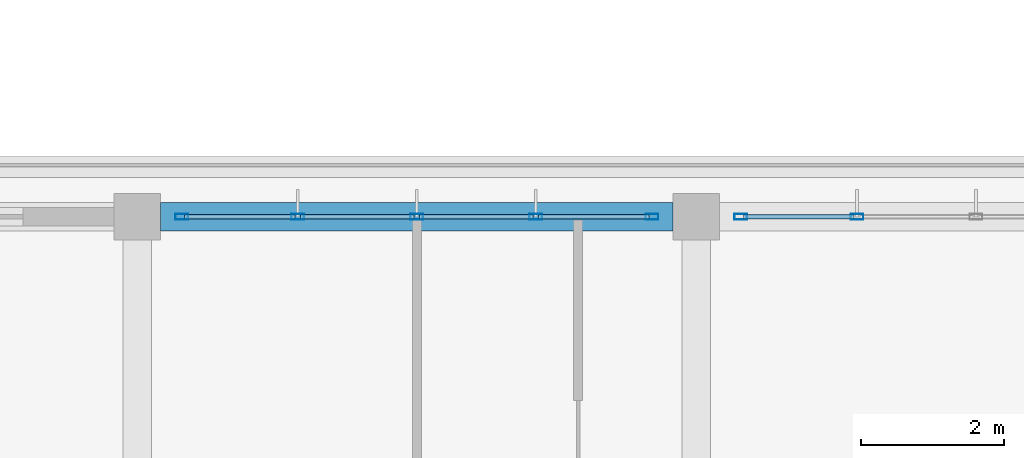
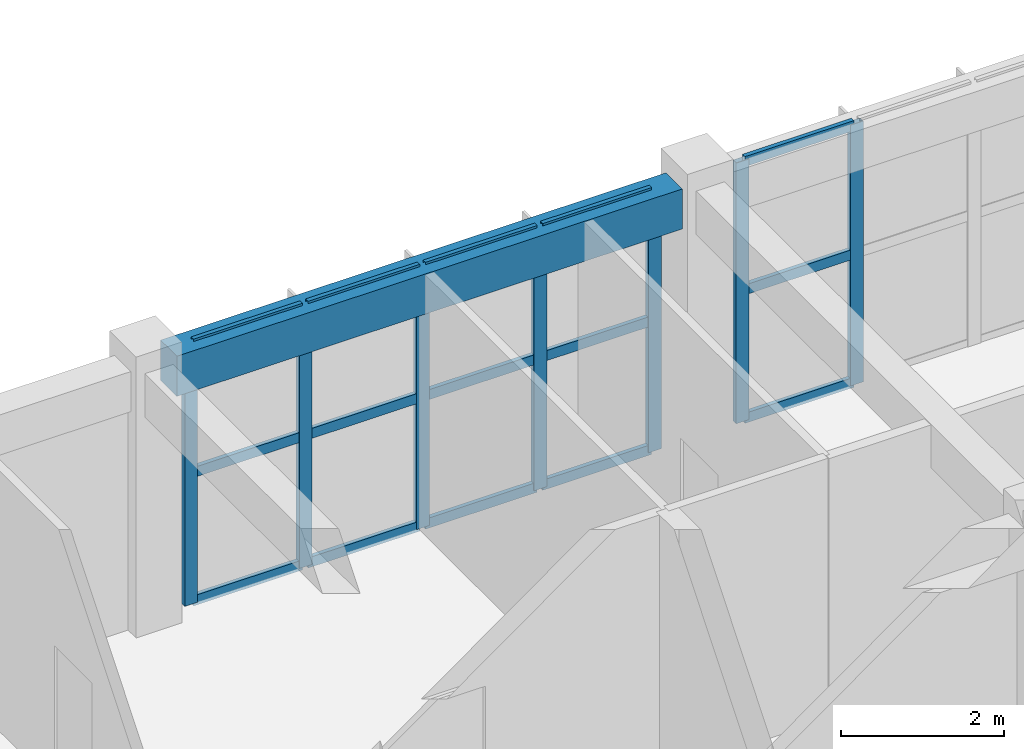
# One storey, part 19 of 57: 22 members, 1 beam, 2 elements without a shape of their own.
"""IFC4 building model written with IfcOpenShell, lengths in metres."""

from ifc_helpers import new_model, si_unit, direction, frame, origin, origin_2d, place, context, subcontext, project, spatial, rectangle, hollow_rectangle, extrude, material, layer, layer_set, material_profile, profile_set, type_object, element, aggregate, save


model = new_model("IFC4")

# Units and contexts
model_context = context("Model", 3, precision=1e-05, world=origin(), true_north=direction((0.0, 1.0)))
body_context = subcontext(model_context, "Body", "Model", "MODEL_VIEW")
ifc_project = project(units=[si_unit("LENGTHUNIT", "METRE"), si_unit("AREAUNIT", "SQUARE_METRE"), si_unit("VOLUMEUNIT", "CUBIC_METRE"), si_unit("PLANEANGLEUNIT", "RADIAN"), si_unit("MASSUNIT", "GRAM", prefix="KILO")], contexts=[model_context])

# Site, building, storey
site_placement = place(None, origin())
site = spatial("IfcSite", under=ifc_project, at=site_placement, CompositionType="ELEMENT")
building_placement = place(site_placement, origin())
building = spatial("IfcBuilding", under=site, at=building_placement, Name="Zizhar Promenade General Hospital", CompositionType="ELEMENT")
storey_placement = place(building_placement, frame((0.0, 0.0, 22.199951171875)))
storey = spatial("IfcBuildingStorey", under=building, at=storey_placement, Name="L05", CompositionType="ELEMENT", Elevation=22.199951171875)

# Beam
ifc_material_1 = material(Name="Concrete C35/45", Category="concrete")
ifc_material_profile_1 = material_profile(ifc_material_1, rectangle(XDim=0.39990234375, YDim=0.60009765625, at=origin_2d()))
ifc_profile_set_1 = profile_set([ifc_material_profile_1], Name="Concrete C35/45")
beam_type = type_object("IfcBeamType", Name="BM-RC-400x600", PredefinedType="JOIST", material=ifc_profile_set_1)
beam_placement = place(storey_placement, frame((70.52490234375, 25.199951171875, 3.610107421875), z_axis=(1.0, 0.0, 0.0), x_axis=(0.0, 1.0, 0.0)))
element("IfcBeam", 1, at=beam_placement, inside=storey, type_object=beam_type, Name="Grid Beam X L05 (9-3)", PredefinedType="JOIST", context=body_context, shape_type="SweptSolid", body=[
    extrude(rectangle(XDim=0.39990234375, YDim=0.60009765625, at=origin_2d()), origin(), (0.0, 0.0, 1.0), 7.150146484375),
])

# Curtain wall, members
ifc_material_2 = material(Name="Anodised aluminium 6063-T6 and low-E glass", Category="aluminium")
ifc_layer = layer(ifc_material_2, 0.159912109375)
ifc_layer_set = layer_set([ifc_layer], Name="Anodised aluminium 6063-T6 and low-E glass")
curtain_wall_type = type_object("IfcCurtainWallType", Name="CW-WARD-RIB", PredefinedType="NOTDEFINED", material=ifc_layer_set)
curtain_wall_1_placement = place(storey_placement, origin())
curtain_wall_1 = element("IfcCurtainWall", 2, at=curtain_wall_1_placement, inside=storey, type_object=curtain_wall_type, Name="Ward Ribbon Curtain Wall L05-8-5", PredefinedType="NOTDEFINED")
ifc_material_3 = material(Name="Anodised aluminium 6063-T6", Category="aluminium")
ifc_material_profile_2 = material_profile(ifc_material_3, hollow_rectangle(XDim=0.080078125, YDim=0.179931640625, WallThickness=0.0048828125, at=origin_2d()))
ifc_profile_set_2 = profile_set([ifc_material_profile_2], Name="Anodised aluminium 6063-T6")
member_type_1 = type_object("IfcMemberType", Name="CWM-ALU-180x80", PredefinedType="MULLION", material=ifc_profile_set_2)
member_1_placement = place(storey_placement, frame((70.820068359375, 25.199951171875, 0.0), z_axis=(0.0, 0.0, 1.0), x_axis=(0.0, 1.0, 0.0)))
member_1 = element("IfcMember", 3, at=member_1_placement, type_object=member_type_1, Name="CW-13 mullion 1", PredefinedType="MULLION", context=body_context, shape_type="SweptSolid", body=[
    extrude(hollow_rectangle(XDim=0.080078125, YDim=0.179931640625, WallThickness=0.0048828125, at=origin_2d()), origin(), (0.0, 0.0, 1.0), 3.900146484375),
])
member_2_placement = place(storey_placement, frame((72.43994140625, 25.199951171875, 0.0), z_axis=(0.0, 0.0, 1.0), x_axis=(0.0, 1.0, 0.0)))
member_2 = element("IfcMember", 4, at=member_2_placement, type_object=member_type_1, Name="CW-13 mullion 2", PredefinedType="MULLION", context=body_context, shape_type="SweptSolid", body=[
    extrude(hollow_rectangle(XDim=0.080078125, YDim=0.179931640625, WallThickness=0.0048828125, at=origin_2d()), origin(), (0.0, 0.0, 1.0), 3.900146484375),
])
member_3_placement = place(storey_placement, frame((74.10009765625, 25.199951171875, 0.0), z_axis=(0.0, 0.0, 1.0), x_axis=(0.0, 1.0, 0.0)))
member_3 = element("IfcMember", 5, at=member_3_placement, type_object=member_type_1, Name="CW-13 mullion 3", PredefinedType="MULLION", context=body_context, shape_type="SweptSolid", body=[
    extrude(hollow_rectangle(XDim=0.080078125, YDim=0.179931640625, WallThickness=0.0048828125, at=origin_2d()), origin(), (0.0, 0.0, 1.0), 3.900146484375),
])
member_4_placement = place(storey_placement, frame((75.760009765625, 25.199951171875, 0.0), z_axis=(0.0, 0.0, 1.0), x_axis=(0.0, 1.0, 0.0)))
member_4 = element("IfcMember", 6, at=member_4_placement, type_object=member_type_1, Name="CW-13 mullion 4", PredefinedType="MULLION", context=body_context, shape_type="SweptSolid", body=[
    extrude(hollow_rectangle(XDim=0.080078125, YDim=0.179931640625, WallThickness=0.0048828125, at=origin_2d()), origin(), (0.0, 0.0, 1.0), 3.900146484375),
])
member_5_placement = place(storey_placement, frame((77.3798828125, 25.199951171875, 0.0), z_axis=(0.0, 0.0, 1.0), x_axis=(0.0, 1.0, 0.0)))
member_5 = element("IfcMember", 7, at=member_5_placement, type_object=member_type_1, Name="CW-13 mullion 5", PredefinedType="MULLION", context=body_context, shape_type="SweptSolid", body=[
    extrude(hollow_rectangle(XDim=0.080078125, YDim=0.179931640625, WallThickness=0.0048828125, at=origin_2d()), origin(), (0.0, 0.0, 1.0), 3.900146484375),
])

curtain_wall_2_placement = place(storey_placement, origin())
curtain_wall_2 = element("IfcCurtainWall", 8, at=curtain_wall_2_placement, inside=storey, type_object=curtain_wall_type, Name="Ward Ribbon Curtain Wall L05-8-6", PredefinedType="NOTDEFINED")
member_6_placement = place(storey_placement, frame((78.6201171875, 25.199951171875, 0.0), z_axis=(0.0, 0.0, 1.0), x_axis=(0.0, 1.0, 0.0)))
member_6 = element("IfcMember", 9, at=member_6_placement, type_object=member_type_1, Name="CW-13 mullion 1", PredefinedType="MULLION", context=body_context, shape_type="SweptSolid", body=[
    extrude(hollow_rectangle(XDim=0.080078125, YDim=0.179931640625, WallThickness=0.0048828125, at=origin_2d()), origin(), (0.0, 0.0, 1.0), 3.900146484375),
])
member_7_placement = place(storey_placement, frame((80.239990234375, 25.199951171875, 0.0), z_axis=(0.0, 0.0, 1.0), x_axis=(0.0, 1.0, 0.0)))
member_7 = element("IfcMember", 10, at=member_7_placement, type_object=member_type_1, Name="CW-13 mullion 2", PredefinedType="MULLION", context=body_context, shape_type="SweptSolid", body=[
    extrude(hollow_rectangle(XDim=0.080078125, YDim=0.179931640625, WallThickness=0.0048828125, at=origin_2d()), origin(), (0.0, 0.0, 1.0), 3.900146484375),
])

# Member
ifc_material_4 = material(Name="Anodised aluminium 6063-T6", Category="aluminium")
ifc_material_profile_3 = material_profile(ifc_material_4, hollow_rectangle(XDim=0.06005859375, YDim=0.14990234375, WallThickness=0.00390625, at=origin_2d()))
ifc_profile_set_3 = profile_set([ifc_material_profile_3], Name="Anodised aluminium 6063-T6")
member_type_2 = type_object("IfcMemberType", Name="CWT-ALU-150x60", PredefinedType="USERDEFINED", material=ifc_profile_set_3)
member_8_placement = place(storey_placement, frame((70.860107421875, 25.199951171875, 0.030029296875), z_axis=(1.0, 0.0, 0.0), x_axis=(0.0, 1.0, 0.0)))
member_8 = element("IfcMember", 11, at=member_8_placement, type_object=member_type_2, Name="CW-13 transom 1.1", ObjectType="TRANSOM", PredefinedType="USERDEFINED", context=body_context, shape_type="SweptSolid", body=[
    extrude(hollow_rectangle(XDim=0.06005859375, YDim=0.14990234375, WallThickness=0.00390625, at=origin_2d()), origin(), (0.0, 0.0, 1.0), 1.539794921875),
])

member_9_placement = place(storey_placement, frame((70.860107421875, 25.199951171875, 1.949951171875), z_axis=(1.0, 0.0, 0.0), x_axis=(0.0, 1.0, 0.0)))
member_9 = element("IfcMember", 12, at=member_9_placement, type_object=member_type_2, Name="CW-13 transom 1.2", ObjectType="TRANSOM", PredefinedType="USERDEFINED", context=body_context, shape_type="SweptSolid", body=[
    extrude(hollow_rectangle(XDim=0.06005859375, YDim=0.14990234375, WallThickness=0.00390625, at=origin_2d()), origin(), (0.0, 0.0, 1.0), 1.539794921875),
])

member_10_placement = place(storey_placement, frame((70.860107421875, 25.199951171875, 3.8701171875), z_axis=(1.0, 0.0, 0.0), x_axis=(0.0, 1.0, 0.0)))
member_10 = element("IfcMember", 13, at=member_10_placement, type_object=member_type_2, Name="CW-13 transom 1.3", ObjectType="TRANSOM", PredefinedType="USERDEFINED", context=body_context, shape_type="SweptSolid", body=[
    extrude(hollow_rectangle(XDim=0.06005859375, YDim=0.14990234375, WallThickness=0.00390625, at=origin_2d()), origin(), (0.0, 0.0, 1.0), 1.539794921875),
])

member_11_placement = place(storey_placement, frame((72.47998046875, 25.199951171875, 0.030029296875), z_axis=(1.0, 0.0, 0.0), x_axis=(0.0, 1.0, 0.0)))
member_11 = element("IfcMember", 14, at=member_11_placement, type_object=member_type_2, Name="CW-13 transom 2.1", ObjectType="TRANSOM", PredefinedType="USERDEFINED", context=body_context, shape_type="SweptSolid", body=[
    extrude(hollow_rectangle(XDim=0.06005859375, YDim=0.14990234375, WallThickness=0.00390625, at=origin_2d()), origin(), (0.0, 0.0, 1.0), 1.580078125),
])

member_12_placement = place(storey_placement, frame((72.47998046875, 25.199951171875, 1.949951171875), z_axis=(1.0, 0.0, 0.0), x_axis=(0.0, 1.0, 0.0)))
member_12 = element("IfcMember", 15, at=member_12_placement, type_object=member_type_2, Name="CW-13 transom 2.2", ObjectType="TRANSOM", PredefinedType="USERDEFINED", context=body_context, shape_type="SweptSolid", body=[
    extrude(hollow_rectangle(XDim=0.06005859375, YDim=0.14990234375, WallThickness=0.00390625, at=origin_2d()), origin(), (0.0, 0.0, 1.0), 1.580078125),
])

member_13_placement = place(storey_placement, frame((72.47998046875, 25.199951171875, 3.8701171875), z_axis=(1.0, 0.0, 0.0), x_axis=(0.0, 1.0, 0.0)))
member_13 = element("IfcMember", 16, at=member_13_placement, type_object=member_type_2, Name="CW-13 transom 2.3", ObjectType="TRANSOM", PredefinedType="USERDEFINED", context=body_context, shape_type="SweptSolid", body=[
    extrude(hollow_rectangle(XDim=0.06005859375, YDim=0.14990234375, WallThickness=0.00390625, at=origin_2d()), origin(), (0.0, 0.0, 1.0), 1.580078125),
])

member_14_placement = place(storey_placement, frame((74.139892578125, 25.199951171875, 0.030029296875), z_axis=(1.0, 0.0, 0.0), x_axis=(0.0, 1.0, 0.0)))
member_14 = element("IfcMember", 17, at=member_14_placement, type_object=member_type_2, Name="CW-13 transom 3.1", ObjectType="TRANSOM", PredefinedType="USERDEFINED", context=body_context, shape_type="SweptSolid", body=[
    extrude(hollow_rectangle(XDim=0.06005859375, YDim=0.14990234375, WallThickness=0.00390625, at=origin_2d()), origin(), (0.0, 0.0, 1.0), 1.580078125),
])

member_15_placement = place(storey_placement, frame((74.139892578125, 25.199951171875, 1.949951171875), z_axis=(1.0, 0.0, 0.0), x_axis=(0.0, 1.0, 0.0)))
member_15 = element("IfcMember", 18, at=member_15_placement, type_object=member_type_2, Name="CW-13 transom 3.2", ObjectType="TRANSOM", PredefinedType="USERDEFINED", context=body_context, shape_type="SweptSolid", body=[
    extrude(hollow_rectangle(XDim=0.06005859375, YDim=0.14990234375, WallThickness=0.00390625, at=origin_2d()), origin(), (0.0, 0.0, 1.0), 1.580078125),
])

member_16_placement = place(storey_placement, frame((74.139892578125, 25.199951171875, 3.8701171875), z_axis=(1.0, 0.0, 0.0), x_axis=(0.0, 1.0, 0.0)))
member_16 = element("IfcMember", 19, at=member_16_placement, type_object=member_type_2, Name="CW-13 transom 3.3", ObjectType="TRANSOM", PredefinedType="USERDEFINED", context=body_context, shape_type="SweptSolid", body=[
    extrude(hollow_rectangle(XDim=0.06005859375, YDim=0.14990234375, WallThickness=0.00390625, at=origin_2d()), origin(), (0.0, 0.0, 1.0), 1.580078125),
])

member_17_placement = place(storey_placement, frame((75.800048828125, 25.199951171875, 0.030029296875), z_axis=(1.0, 0.0, 0.0), x_axis=(0.0, 1.0, 0.0)))
member_17 = element("IfcMember", 20, at=member_17_placement, type_object=member_type_2, Name="CW-13 transom 4.1", ObjectType="TRANSOM", PredefinedType="USERDEFINED", context=body_context, shape_type="SweptSolid", body=[
    extrude(hollow_rectangle(XDim=0.06005859375, YDim=0.14990234375, WallThickness=0.00390625, at=origin_2d()), origin(), (0.0, 0.0, 1.0), 1.5400390625),
])

member_18_placement = place(storey_placement, frame((75.800048828125, 25.199951171875, 1.949951171875), z_axis=(1.0, 0.0, 0.0), x_axis=(0.0, 1.0, 0.0)))
member_18 = element("IfcMember", 21, at=member_18_placement, type_object=member_type_2, Name="CW-13 transom 4.2", ObjectType="TRANSOM", PredefinedType="USERDEFINED", context=body_context, shape_type="SweptSolid", body=[
    extrude(hollow_rectangle(XDim=0.06005859375, YDim=0.14990234375, WallThickness=0.00390625, at=origin_2d()), origin(), (0.0, 0.0, 1.0), 1.5400390625),
])

member_19_placement = place(storey_placement, frame((75.800048828125, 25.199951171875, 3.8701171875), z_axis=(1.0, 0.0, 0.0), x_axis=(0.0, 1.0, 0.0)))
member_19 = element("IfcMember", 22, at=member_19_placement, type_object=member_type_2, Name="CW-13 transom 4.3", ObjectType="TRANSOM", PredefinedType="USERDEFINED", context=body_context, shape_type="SweptSolid", body=[
    extrude(hollow_rectangle(XDim=0.06005859375, YDim=0.14990234375, WallThickness=0.00390625, at=origin_2d()), origin(), (0.0, 0.0, 1.0), 1.5400390625),
])

aggregate(curtain_wall_1, [member_1, member_2, member_3, member_4, member_5, member_8, member_9, member_10, member_11, member_12, member_13, member_14, member_15, member_16, member_17, member_18, member_19])

member_20_placement = place(storey_placement, frame((78.659912109375, 25.199951171875, 0.030029296875), z_axis=(1.0, 0.0, 0.0), x_axis=(0.0, 1.0, 0.0)))
member_20 = element("IfcMember", 23, at=member_20_placement, type_object=member_type_2, Name="CW-13 transom 1.1", ObjectType="TRANSOM", PredefinedType="USERDEFINED", context=body_context, shape_type="SweptSolid", body=[
    extrude(hollow_rectangle(XDim=0.06005859375, YDim=0.14990234375, WallThickness=0.00390625, at=origin_2d()), origin(), (0.0, 0.0, 1.0), 1.5400390625),
])

member_21_placement = place(storey_placement, frame((78.659912109375, 25.199951171875, 1.949951171875), z_axis=(1.0, 0.0, 0.0), x_axis=(0.0, 1.0, 0.0)))
member_21 = element("IfcMember", 24, at=member_21_placement, type_object=member_type_2, Name="CW-13 transom 1.2", ObjectType="TRANSOM", PredefinedType="USERDEFINED", context=body_context, shape_type="SweptSolid", body=[
    extrude(hollow_rectangle(XDim=0.06005859375, YDim=0.14990234375, WallThickness=0.00390625, at=origin_2d()), origin(), (0.0, 0.0, 1.0), 1.5400390625),
])

member_22_placement = place(storey_placement, frame((78.659912109375, 25.199951171875, 3.8701171875), z_axis=(1.0, 0.0, 0.0), x_axis=(0.0, 1.0, 0.0)))
member_22 = element("IfcMember", 25, at=member_22_placement, type_object=member_type_2, Name="CW-13 transom 1.3", ObjectType="TRANSOM", PredefinedType="USERDEFINED", context=body_context, shape_type="SweptSolid", body=[
    extrude(hollow_rectangle(XDim=0.06005859375, YDim=0.14990234375, WallThickness=0.00390625, at=origin_2d()), origin(), (0.0, 0.0, 1.0), 1.5400390625),
])

aggregate(curtain_wall_2, [member_6, member_7, member_20, member_21, member_22])

save(model, "model.ifc")
